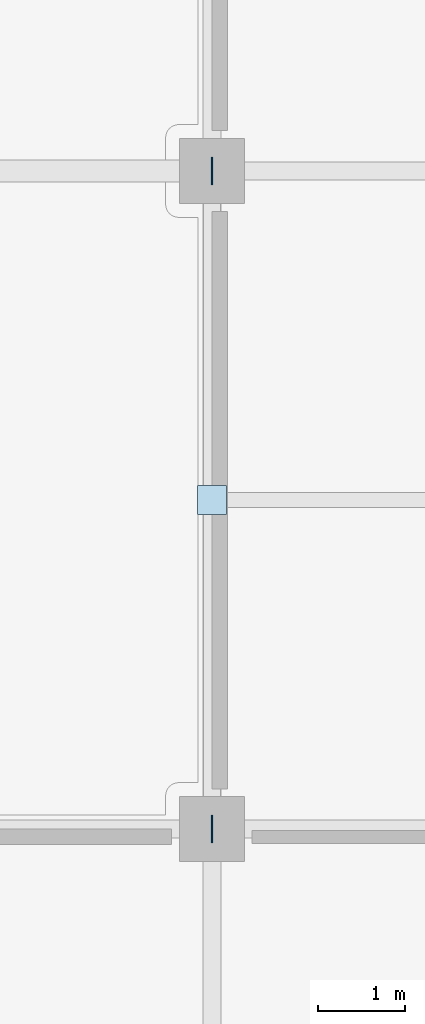
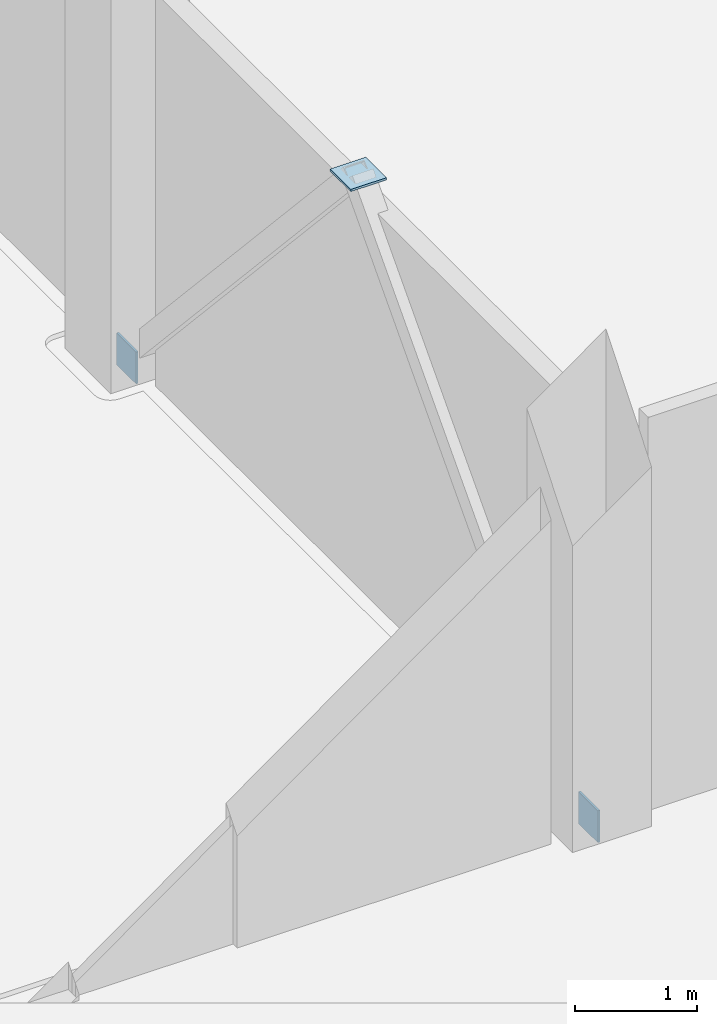
# One storey, part 14 of 36: 3 plates.
"""IFC4 building model written with IfcOpenShell, lengths in metres."""

from ifc_helpers import new_model, si_unit, direction, frame, origin, origin_2d, place, context, subcontext, project, spatial, rectangle, extrude, material, layer, layer_set, type_object, element, save


model = new_model("IFC4")

# Units and contexts
model_context = context("Model", 3, precision=1e-05, world=origin(), true_north=direction((0.0, 1.0)))
body_context = subcontext(model_context, "Body", "Model", "MODEL_VIEW")
ifc_project = project(units=[si_unit("LENGTHUNIT", "METRE"), si_unit("AREAUNIT", "SQUARE_METRE"), si_unit("VOLUMEUNIT", "CUBIC_METRE"), si_unit("PLANEANGLEUNIT", "RADIAN"), si_unit("MASSUNIT", "GRAM", prefix="KILO")], contexts=[model_context])

# Site, building, storey
site_placement = place(None, origin())
site = spatial("IfcSite", under=ifc_project, at=site_placement, CompositionType="ELEMENT")
building_placement = place(site_placement, origin())
building = spatial("IfcBuilding", under=site, at=building_placement, Name="Zuvorla Pavilion Media Centre", CompositionType="ELEMENT")
storey_placement = place(building_placement, origin())
storey = spatial("IfcBuildingStorey", under=building, at=storey_placement, Name="L00", CompositionType="ELEMENT", Elevation=0.0)

# Plates
ifc_material = material(Name="Steel S355", Category="steel")
ifc_layer_1 = layer(ifc_material, 0.02197265625)
ifc_layer_set_1 = layer_set([ifc_layer_1], Name="Steel S355")
plate_type_1 = type_object("IfcPlateType", Name="PLT-CAP-22", PredefinedType="USERDEFINED", material=ifc_layer_set_1)
plate_placement = place(storey_placement, frame((125.60009765625, 93.39990234375, 4.138916015625), z_axis=(0.0, 0.0, 1.0), x_axis=(1.0, 0.0, 0.0)))
element("IfcPlate", 1, at=plate_placement, inside=storey, type_object=plate_type_1, Name="L00 cap plate CP22 165", ObjectType="CAP_PLATE", PredefinedType="USERDEFINED", context=body_context, shape_type="SweptSolid", body=[
    extrude(rectangle(XDim=0.340087890625, YDim=0.340087890625, at=origin_2d()), origin(), (0.0, 0.0, 1.0), 0.02197265625),
])
ifc_layer_2 = layer(ifc_material, 0.02001953125)
ifc_layer_set_2 = layer_set([ifc_layer_2], Name="Steel S355")
plate_type_2 = type_object("IfcPlateType", Name="PLT-GUS-20", PredefinedType="USERDEFINED", material=ifc_layer_set_2)
for number, where, z_axis, x_axis, name in (
    (2, (125.60009765625, 89.60009765625, -0.16015625), (0.0, 0.0, 1.0), (1.0, 0.0, 0.0), "L00 gusset plate GP20 517"),
    (3, (125.60009765625, 97.199951171875, -0.16015625), (0.0, 0.0, 1.0), (1.0, 0.0, 0.0), "L00 gusset plate GP20 518"),
):
    element("IfcPlate", number, at=place(storey_placement, frame(where, z_axis=z_axis, x_axis=x_axis)), inside=storey, type_object=plate_type_2, Name=name, ObjectType="GUSSET_PLATE", PredefinedType="USERDEFINED", context=body_context, shape_type="SweptSolid", body=[
        extrude(rectangle(XDim=0.02001953125, YDim=0.320068359375, at=origin_2d()), origin(), (0.0, 0.0, 1.0), 0.320068359375),
    ])

save(model, "model.ifc")
